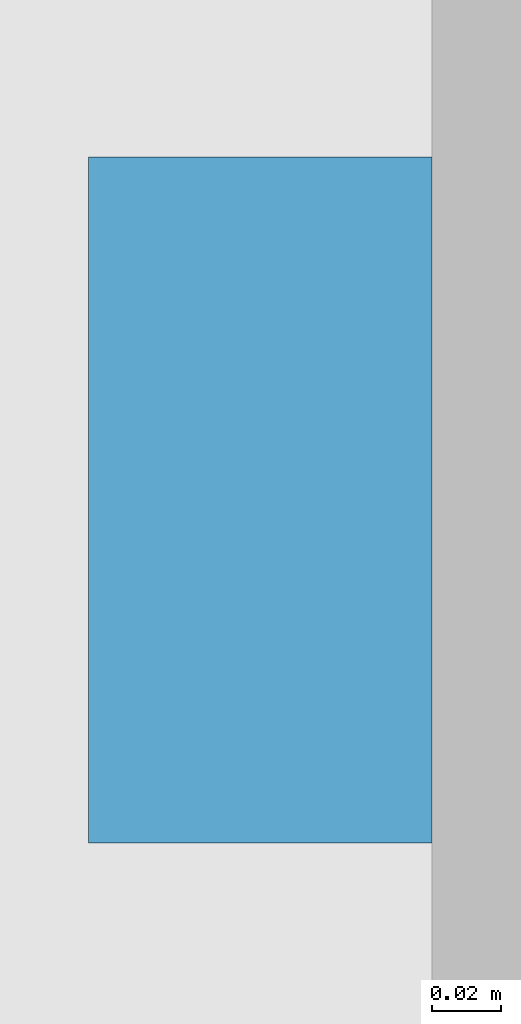
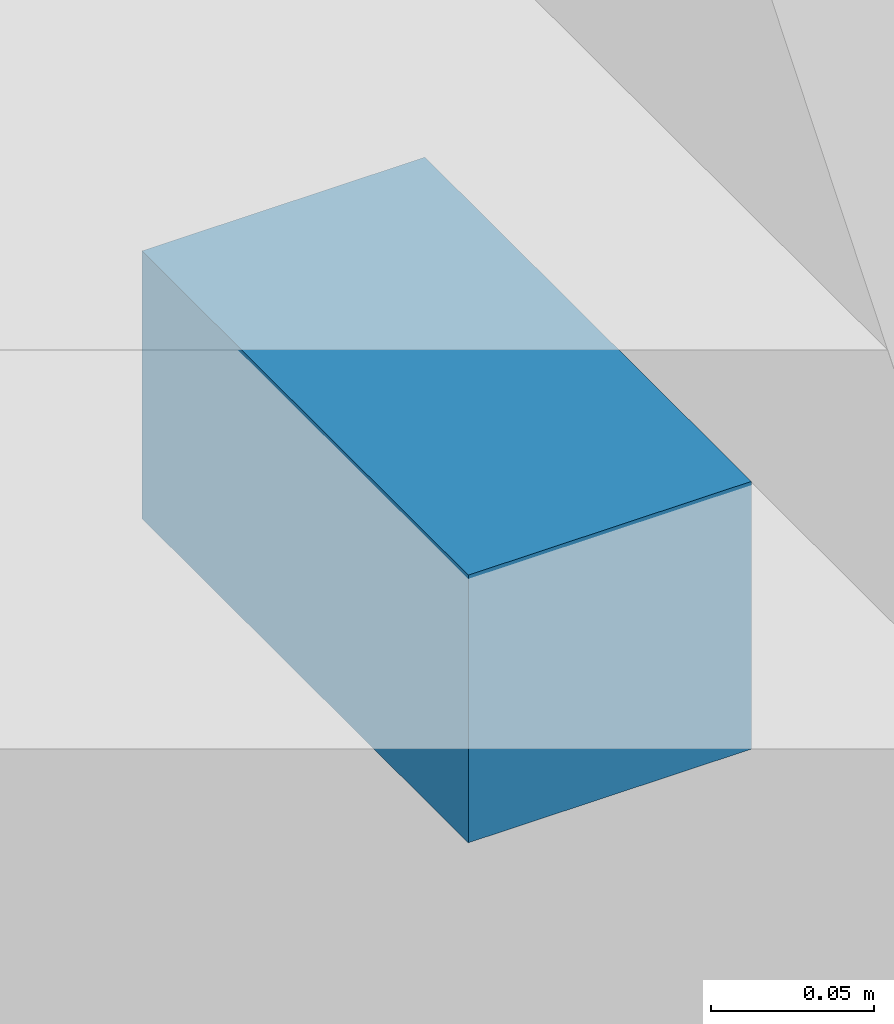
# One storey, part 11 of 13: 1 discrete accessory.
"""IFC4 building model written with IfcOpenShell, lengths in metres."""

from ifc_helpers import new_model, si_unit, direction, frame, origin, origin_2d, place, context, subcontext, project, spatial, rectangle, extrude, element, save


model = new_model("IFC4")

# Units and contexts
model_context = context("Model", 3, precision=1e-05, world=origin(), true_north=direction((0.0, 1.0)))
body_context = subcontext(model_context, "Body", "Model", "MODEL_VIEW")
ifc_project = project(units=[si_unit("LENGTHUNIT", "METRE"), si_unit("AREAUNIT", "SQUARE_METRE"), si_unit("VOLUMEUNIT", "CUBIC_METRE"), si_unit("PLANEANGLEUNIT", "RADIAN"), si_unit("MASSUNIT", "GRAM", prefix="KILO")], contexts=[model_context])

# Site, building, storey
site_placement = place(None, origin())
site = spatial("IfcSite", under=ifc_project, at=site_placement, CompositionType="ELEMENT")
building_placement = place(site_placement, origin())
building = spatial("IfcBuilding", under=site, at=building_placement, Name="Calvaro Tower", CompositionType="ELEMENT")
storey_placement = place(building_placement, frame((0.0, 0.0, 226.75)))
storey = spatial("IfcBuildingStorey", under=building, at=storey_placement, Name="L57", CompositionType="ELEMENT", Elevation=226.75)

# Discrete accessory
discrete_accessory_placement = place(storey_placement, frame((65.5, 3.60009765625, 3.5), z_axis=(0.0, 0.0, 1.0), x_axis=(1.0, 0.0, 0.0)))
element("IfcDiscreteAccessory", 1, at=discrete_accessory_placement, inside=storey, Name="Brise-soleil bracket", PredefinedType="BRACKET", context=body_context, shape_type="SweptSolid", body=[
    extrude(rectangle(XDim=0.10009765625, YDim=0.199951171875, at=origin_2d()), origin(), (0.0, 0.0, 1.0), 0.10009765625),
])

save(model, "model.ifc")
